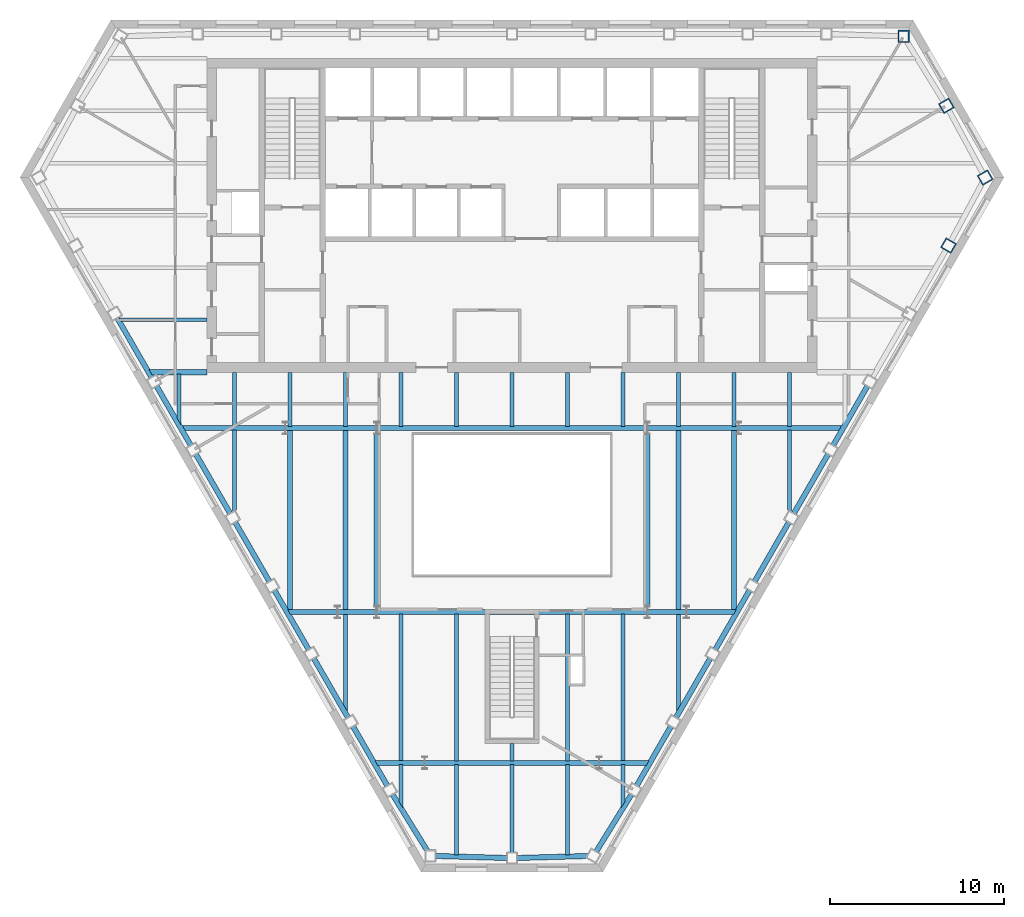
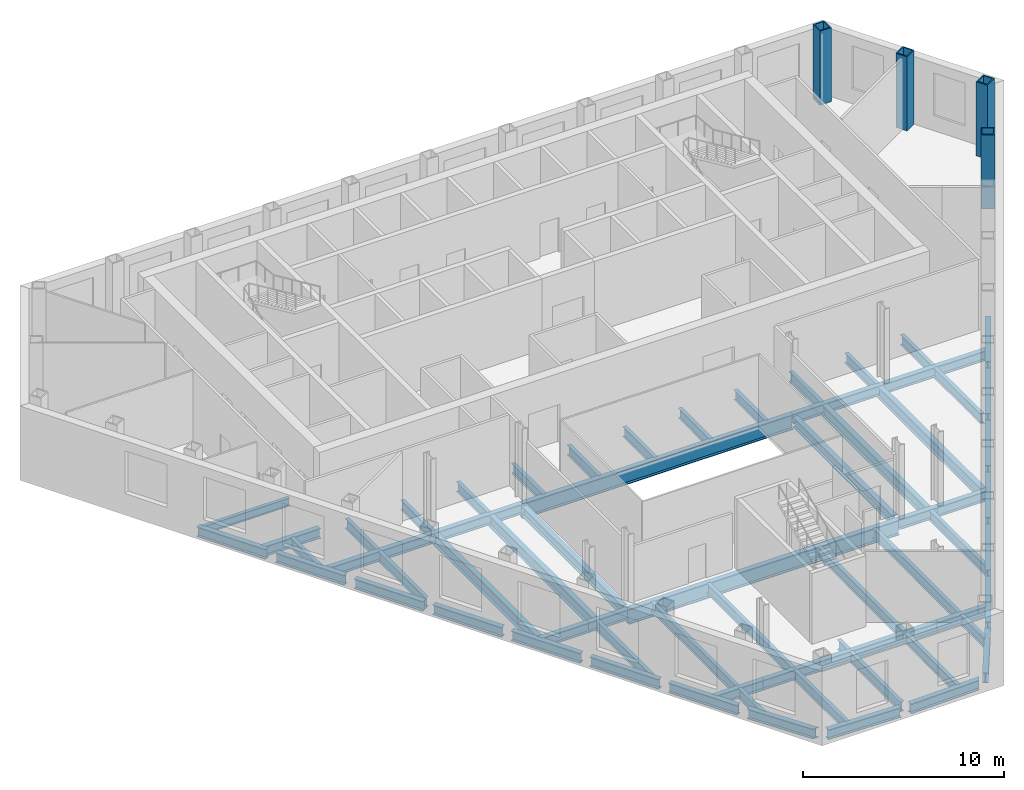
# One storey, part 2 of 11: 64 beams, 4 columns.
"""IFC4 building model written with IfcOpenShell, lengths in metres."""

from ifc_helpers import new_model, si_unit, direction, frame, origin, origin_2d, place, context, subcontext, project, spatial, hollow_rectangle, i_section, extrude, clip, halfspace, material, material_profile, profile_set, type_object, element, save


model = new_model("IFC4")

# Units and contexts
model_context = context("Model", 3, precision=1e-05, world=origin(), true_north=direction((0.0, 1.0)))
body_context = subcontext(model_context, "Body", "Model", "MODEL_VIEW")
ifc_project = project(units=[si_unit("LENGTHUNIT", "METRE"), si_unit("AREAUNIT", "SQUARE_METRE"), si_unit("VOLUMEUNIT", "CUBIC_METRE"), si_unit("PLANEANGLEUNIT", "RADIAN"), si_unit("MASSUNIT", "GRAM", prefix="KILO")], contexts=[model_context])

# Site, building, storey
site_placement = place(None, origin())
site = spatial("IfcSite", under=ifc_project, at=site_placement, CompositionType="ELEMENT")
building_placement = place(site_placement, origin())
building = spatial("IfcBuilding", under=site, at=building_placement, Name="Njiva Tower", CompositionType="ELEMENT")
storey_placement = place(building_placement, frame((0.0, 0.0, 88.8)))
storey = spatial("IfcBuildingStorey", under=building, at=storey_placement, Name="L18", CompositionType="ELEMENT", Elevation=88.8)

# Columns
ifc_material = material(Name="Steel S355 J2", Category="steel")
ifc_material_profile_1 = material_profile(ifc_material, hollow_rectangle(XDim=0.65, YDim=0.7, WallThickness=0.065, at=origin_2d()), Name="BOX 700x650x65")
ifc_profile_set_1 = profile_set([ifc_material_profile_1], Name="Steel S355 J2")
column_type = type_object("IfcColumnType", Name="C7 Perimeter tube column BOX 700x650x65", PredefinedType="COLUMN", material=ifc_profile_set_1)
for number, where, z_axis, x_axis, name in (
    (1, (22.456, 19.267, 0.0), (0.0, 0.0, 1.0), (-1.0, 0.0, 0.0), "Perimeter tube column S06-C01"),
    (2, (25.033, 7.265, 0.0), (0.0, 0.0, 1.0), (0.5, 0.866025403784, 0.0), "Perimeter tube column S06-C34"),
    (3, (27.133, 11.167, 0.0), (0.0, 0.0, 1.0), (-0.5, 0.866025403784, 0.0), "Perimeter tube column S06-C35"),
    (4, (24.91, 15.284, 0.0), (0.0, 0.0, 1.0), (-0.5, 0.866025403784, 0.0), "Perimeter tube column S06-C36"),
):
    element("IfcColumn", number, at=place(storey_placement, frame(where, z_axis=z_axis, x_axis=x_axis)), inside=storey, type_object=column_type, Name=name, PredefinedType="COLUMN", context=body_context, shape_type="SweptSolid", body=[
        extrude(hollow_rectangle(XDim=0.65, YDim=0.7, WallThickness=0.065, at=origin_2d()), origin(), (0.0, 0.0, 1.0), 4.5),
    ])

# Beams
ifc_material_profile_2 = material_profile(ifc_material, i_section(OverallWidth=0.3, OverallDepth=0.69, WebThickness=0.0145, FlangeThickness=0.027, at=origin_2d()), Name="HEA 700")
ifc_profile_set_2 = profile_set([ifc_material_profile_2], Name="Steel S355 J2")
beam_type_1 = type_object("IfcBeamType", Name="B12 Long-span floor joist HEA 700", PredefinedType="JOIST", material=ifc_profile_set_2)
for number, where, z_axis, x_axis, name in (
    (5, (-12.733, -3.3, -0.545), (0.0, -1.0, 0.0), (1.0, 0.0, 0.0), "Long-span floor joist S06-B058"),
    (6, (-9.55, -3.3, -0.545), (0.0, -1.0, 0.0), (1.0, 0.0, 0.0), "Long-span floor joist S06-B061"),
    (7, (9.55, -3.3, -0.545), (0.0, -1.0, 0.0), (1.0, 0.0, 0.0), "Long-span floor joist S06-B079"),
    (8, (12.733, -3.3, -0.545), (0.0, -1.0, 0.0), (1.0, 0.0, 0.0), "Long-span floor joist S06-B081"),
):
    element("IfcBeam", number, at=place(storey_placement, frame(where, z_axis=z_axis, x_axis=x_axis)), inside=storey, type_object=beam_type_1, Name=name, PredefinedType="JOIST", context=body_context, shape_type="SweptSolid", body=[
        extrude(i_section(OverallWidth=0.3, OverallDepth=0.69, WebThickness=0.0145, FlangeThickness=0.027, at=origin_2d()), origin(), (0.0, 0.0, 1.0), 10.35),
    ])
ifc_material_profile_3 = material_profile(ifc_material, i_section(OverallWidth=0.22, OverallDepth=0.6, WebThickness=0.012, FlangeThickness=0.019, at=origin_2d()), Name="IPE 600")
ifc_profile_set_3 = profile_set([ifc_material_profile_3], Name="Steel S355 J2")
beam_type_2 = type_object("IfcBeamType", Name="B13 Floor joist IPE 600", PredefinedType="JOIST", material=ifc_profile_set_3)
beam_1_placement = place(storey_placement, frame((-15.917, -3.3, -0.5), z_axis=(0.0, -1.0, 0.0), x_axis=(1.0, 0.0, 0.0)))
element("IfcBeam", 9, at=beam_1_placement, inside=storey, type_object=beam_type_2, Name="Floor joist S06-B056", PredefinedType="JOIST", context=body_context, shape_type="Clipping", body=[
    clip(extrude(i_section(OverallWidth=0.22, OverallDepth=0.6, WebThickness=0.012, FlangeThickness=0.019, at=origin_2d()), origin(), (0.0, 0.0, 1.0), 4.754), halfspace(frame((0.0253, 0.0, 4.6554), z_axis=(0.499998009787, 0.0, 0.866026552831), x_axis=(0.0, 1.0, 0.0)), False)),
])
beam_2_placement = place(storey_placement, frame((-9.55, -13.85, -0.5), z_axis=(0.0, -1.0, 0.0), x_axis=(1.0, 0.0, 0.0)))
element("IfcBeam", 10, at=beam_2_placement, inside=storey, type_object=beam_type_2, Name="Floor joist S06-B060", PredefinedType="JOIST", context=body_context, shape_type="Clipping", body=[
    clip(extrude(i_section(OverallWidth=0.22, OverallDepth=0.6, WebThickness=0.012, FlangeThickness=0.019, at=origin_2d()), origin(), (0.0, 0.0, 1.0), 5.714), halfspace(frame((-0.0433, 0.0, 5.4277), z_axis=(-0.866026552831, 0.0, 0.499998009787), x_axis=(0.0, 1.0, 0.0)), False)),
])
for number, where, z_axis, x_axis, name in (
    (11, (-6.367, -13.851, -0.5), (0.0, -1.0, 0.0), (1.0, 0.0, 0.0), "Floor joist S06-B064"),
    (12, (-3.183, -13.851, -0.5), (0.0, -1.0, 0.0), (1.0, 0.0, 0.0), "Floor joist S06-B067"),
):
    element("IfcBeam", number, at=place(storey_placement, frame(where, z_axis=z_axis, x_axis=x_axis)), inside=storey, type_object=beam_type_2, Name=name, PredefinedType="JOIST", context=body_context, shape_type="SweptSolid", body=[
        extrude(i_section(OverallWidth=0.22, OverallDepth=0.6, WebThickness=0.012, FlangeThickness=0.019, at=origin_2d()), origin(), (0.0, 0.0, 1.0), 8.449),
    ])
beam_3_placement = place(storey_placement, frame((-3.183, -22.5, -0.5), z_axis=(0.0, -1.0, 0.0), x_axis=(1.0, 0.0, 0.0)))
element("IfcBeam", 13, at=beam_3_placement, inside=storey, type_object=beam_type_2, Name="Floor joist S06-B066", PredefinedType="JOIST", context=body_context, shape_type="SweptSolid", body=[
    extrude(i_section(OverallWidth=0.22, OverallDepth=0.6, WebThickness=0.012, FlangeThickness=0.019, at=origin_2d()), origin(), (0.0, 0.0, 1.0), 5.168),
])
beam_4_placement = place(storey_placement, frame((0.0, -22.5, -0.5), z_axis=(0.0, -1.0, 0.0), x_axis=(1.0, 0.0, 0.0)))
element("IfcBeam", 14, at=beam_4_placement, inside=storey, type_object=beam_type_2, Name="Floor joist S06-B069", PredefinedType="JOIST", context=body_context, shape_type="SweptSolid", body=[
    extrude(i_section(OverallWidth=0.22, OverallDepth=0.6, WebThickness=0.012, FlangeThickness=0.019, at=origin_2d()), origin(), (0.0, 0.0, 1.0), 5.061),
])
beam_5_placement = place(storey_placement, frame((3.183, -13.851, -0.5), z_axis=(0.0, -1.0, 0.0), x_axis=(1.0, 0.0, 0.0)))
element("IfcBeam", 15, at=beam_5_placement, inside=storey, type_object=beam_type_2, Name="Floor joist S06-B073", PredefinedType="JOIST", context=body_context, shape_type="SweptSolid", body=[
    extrude(i_section(OverallWidth=0.22, OverallDepth=0.6, WebThickness=0.012, FlangeThickness=0.019, at=origin_2d()), origin(), (0.0, 0.0, 1.0), 8.449),
])
beam_6_placement = place(storey_placement, frame((3.183, -22.5, -0.5), z_axis=(0.0, -1.0, 0.0), x_axis=(1.0, 0.0, 0.0)))
element("IfcBeam", 16, at=beam_6_placement, inside=storey, type_object=beam_type_2, Name="Floor joist S06-B072", PredefinedType="JOIST", context=body_context, shape_type="SweptSolid", body=[
    extrude(i_section(OverallWidth=0.22, OverallDepth=0.6, WebThickness=0.012, FlangeThickness=0.019, at=origin_2d()), origin(), (0.0, 0.0, 1.0), 5.168),
])
beam_7_placement = place(storey_placement, frame((6.367, -13.851, -0.5), z_axis=(0.0, -1.0, 0.0), x_axis=(1.0, 0.0, 0.0)))
element("IfcBeam", 17, at=beam_7_placement, inside=storey, type_object=beam_type_2, Name="Floor joist S06-B076", PredefinedType="JOIST", context=body_context, shape_type="SweptSolid", body=[
    extrude(i_section(OverallWidth=0.22, OverallDepth=0.6, WebThickness=0.012, FlangeThickness=0.019, at=origin_2d()), origin(), (0.0, 0.0, 1.0), 8.449),
])
beam_8_placement = place(storey_placement, frame((9.55, -13.85, -0.5), z_axis=(0.0, -1.0, 0.0), x_axis=(1.0, 0.0, 0.0)))
element("IfcBeam", 18, at=beam_8_placement, inside=storey, type_object=beam_type_2, Name="Floor joist S06-B078", PredefinedType="JOIST", context=body_context, shape_type="Clipping", body=[
    clip(extrude(i_section(OverallWidth=0.22, OverallDepth=0.6, WebThickness=0.012, FlangeThickness=0.019, at=origin_2d()), origin(), (0.0, 0.0, 1.0), 5.714), halfspace(frame((0.0433, 0.0, 5.4277), z_axis=(0.866026552831, 0.0, 0.499998009787), x_axis=(0.0, 1.0, 0.0)), False)),
])
beam_9_placement = place(storey_placement, frame((15.917, -3.3, -0.5), z_axis=(0.0, -1.0, 0.0), x_axis=(1.0, 0.0, 0.0)))
element("IfcBeam", 19, at=beam_9_placement, inside=storey, type_object=beam_type_2, Name="Floor joist S06-B084", PredefinedType="JOIST", context=body_context, shape_type="Clipping", body=[
    clip(extrude(i_section(OverallWidth=0.22, OverallDepth=0.6, WebThickness=0.012, FlangeThickness=0.019, at=origin_2d()), origin(), (0.0, 0.0, 1.0), 4.754), halfspace(frame((-0.0253, 0.0, 4.6554), z_axis=(-0.499998009787, 0.0, 0.866026552831), x_axis=(0.0, 1.0, 0.0)), False)),
])
ifc_material_profile_4 = material_profile(ifc_material, i_section(OverallWidth=0.22, OverallDepth=0.6, WebThickness=0.012, FlangeThickness=0.019, at=origin_2d()), Name="IPE 600")
ifc_profile_set_4 = profile_set([ifc_material_profile_4], Name="Steel S355 J2")
beam_type_3 = type_object("IfcBeamType", Name="B14 Short-span floor joist IPE 600", PredefinedType="JOIST", material=ifc_profile_set_4)
beam_10_placement = place(storey_placement, frame((-19.1, -0.1, -0.5), z_axis=(0.0, -1.0, 0.0), x_axis=(1.0, 0.0, 0.0)))
element("IfcBeam", 20, at=beam_10_placement, inside=storey, type_object=beam_type_3, Name="Short-span floor joist S06-B054", PredefinedType="JOIST", context=body_context, shape_type="Clipping", body=[
    clip(extrude(i_section(OverallWidth=0.22, OverallDepth=0.6, WebThickness=0.012, FlangeThickness=0.019, at=origin_2d()), origin(), (0.0, 0.0, 1.0), 2.923), halfspace(frame((-0.0433, 0.0, 2.6366), z_axis=(-0.866026552831, 0.0, 0.499998009787), x_axis=(0.0, 1.0, 0.0)), False)),
])
for number, where, z_axis, x_axis, name in (
    (21, (-15.917, -0.005, -0.5), (0.0, -1.0, 0.0), (1.0, 0.0, 0.0), "Short-span floor joist S06-B057"),
    (22, (-12.733, -0.005, -0.5), (0.0, -1.0, 0.0), (1.0, 0.0, 0.0), "Short-span floor joist S06-B059"),
    (23, (-9.55, -0.005, -0.5), (0.0, -1.0, 0.0), (1.0, 0.0, 0.0), "Short-span floor joist S06-B062"),
):
    element("IfcBeam", number, at=place(storey_placement, frame(where, z_axis=z_axis, x_axis=x_axis)), inside=storey, type_object=beam_type_3, Name=name, PredefinedType="JOIST", context=body_context, shape_type="SweptSolid", body=[
        extrude(i_section(OverallWidth=0.22, OverallDepth=0.6, WebThickness=0.012, FlangeThickness=0.019, at=origin_2d()), origin(), (0.0, 0.0, 1.0), 3.095),
    ])
beam_11_placement = place(storey_placement, frame((-6.367, -0.005, -0.5), z_axis=(0.0, -1.0, 0.0), x_axis=(1.0, 0.0, 0.0)))
element("IfcBeam", 24, at=beam_11_placement, inside=storey, type_object=beam_type_3, Name="Short-span floor joist S06-B065", PredefinedType="JOIST", context=body_context, shape_type="SweptSolid", body=[
    extrude(i_section(OverallWidth=0.22, OverallDepth=0.6, WebThickness=0.012, FlangeThickness=0.019, at=origin_2d()), origin(), (0.0, 0.0, 1.0), 3.094),
])
beam_12_placement = place(storey_placement, frame((-6.367, -22.5, -0.5), z_axis=(0.0, -1.0, 0.0), x_axis=(1.0, 0.0, 0.0)))
element("IfcBeam", 25, at=beam_12_placement, inside=storey, type_object=beam_type_3, Name="Short-span floor joist S06-B063", PredefinedType="JOIST", context=body_context, shape_type="Clipping", body=[
    clip(extrude(i_section(OverallWidth=0.22, OverallDepth=0.6, WebThickness=0.012, FlangeThickness=0.019, at=origin_2d()), origin(), (0.0, 0.0, 1.0), 2.501), halfspace(frame((-0.0422, 0.0, 2.2343), z_axis=(-0.850615955969, 0.0, 0.525787500281), x_axis=(0.0, 1.0, 0.0)), False)),
])
for number, where, z_axis, x_axis, name in (
    (26, (-3.183, -0.005, -0.5), (0.0, -1.0, 0.0), (1.0, 0.0, 0.0), "Short-span floor joist S06-B068"),
    (27, (0.0, -0.005, -0.5), (0.0, -1.0, 0.0), (1.0, 0.0, 0.0), "Short-span floor joist S06-B071"),
):
    element("IfcBeam", number, at=place(storey_placement, frame(where, z_axis=z_axis, x_axis=x_axis)), inside=storey, type_object=beam_type_3, Name=name, PredefinedType="JOIST", context=body_context, shape_type="SweptSolid", body=[
        extrude(i_section(OverallWidth=0.22, OverallDepth=0.6, WebThickness=0.012, FlangeThickness=0.019, at=origin_2d()), origin(), (0.0, 0.0, 1.0), 3.094),
    ])
beam_13_placement = place(storey_placement, frame((0.0, -21.3, -0.5), z_axis=(0.0, -1.0, 0.0), x_axis=(1.0, 0.0, 0.0)))
element("IfcBeam", 28, at=beam_13_placement, inside=storey, type_object=beam_type_3, Name="Short-span floor joist S06-B070", PredefinedType="JOIST", context=body_context, shape_type="SweptSolid", body=[
    extrude(i_section(OverallWidth=0.22, OverallDepth=0.6, WebThickness=0.012, FlangeThickness=0.019, at=origin_2d()), origin(), (0.0, 0.0, 1.0), 1.0),
])
for number, where, z_axis, x_axis, name in (
    (29, (3.183, -0.005, -0.5), (0.0, -1.0, 0.0), (1.0, 0.0, 0.0), "Short-span floor joist S06-B074"),
    (30, (6.367, -0.005, -0.5), (0.0, -1.0, 0.0), (1.0, 0.0, 0.0), "Short-span floor joist S06-B077"),
):
    element("IfcBeam", number, at=place(storey_placement, frame(where, z_axis=z_axis, x_axis=x_axis)), inside=storey, type_object=beam_type_3, Name=name, PredefinedType="JOIST", context=body_context, shape_type="SweptSolid", body=[
        extrude(i_section(OverallWidth=0.22, OverallDepth=0.6, WebThickness=0.012, FlangeThickness=0.019, at=origin_2d()), origin(), (0.0, 0.0, 1.0), 3.094),
    ])
beam_14_placement = place(storey_placement, frame((6.367, -22.5, -0.5), z_axis=(0.0, -1.0, 0.0), x_axis=(1.0, 0.0, 0.0)))
element("IfcBeam", 31, at=beam_14_placement, inside=storey, type_object=beam_type_3, Name="Short-span floor joist S06-B075", PredefinedType="JOIST", context=body_context, shape_type="Clipping", body=[
    clip(extrude(i_section(OverallWidth=0.22, OverallDepth=0.6, WebThickness=0.012, FlangeThickness=0.019, at=origin_2d()), origin(), (0.0, 0.0, 1.0), 2.501), halfspace(frame((0.0422, 0.0, 2.2343), z_axis=(0.850615955969, 0.0, 0.525787500281), x_axis=(0.0, 1.0, 0.0)), False)),
])
for number, where, z_axis, x_axis, name in (
    (32, (9.55, -0.005, -0.5), (0.0, -1.0, 0.0), (1.0, 0.0, 0.0), "Short-span floor joist S06-B080"),
    (33, (12.733, -0.005, -0.5), (0.0, -1.0, 0.0), (1.0, 0.0, 0.0), "Short-span floor joist S06-B082"),
    (34, (15.917, -0.005, -0.5), (0.0, -1.0, 0.0), (1.0, 0.0, 0.0), "Short-span floor joist S06-B085"),
):
    element("IfcBeam", number, at=place(storey_placement, frame(where, z_axis=z_axis, x_axis=x_axis)), inside=storey, type_object=beam_type_3, Name=name, PredefinedType="JOIST", context=body_context, shape_type="SweptSolid", body=[
        extrude(i_section(OverallWidth=0.22, OverallDepth=0.6, WebThickness=0.012, FlangeThickness=0.019, at=origin_2d()), origin(), (0.0, 0.0, 1.0), 3.095),
    ])
ifc_material_profile_5 = material_profile(ifc_material, i_section(OverallWidth=0.3, OverallDepth=0.6, WebThickness=0.0155, FlangeThickness=0.03, at=origin_2d()), Name="HEB 600")
ifc_profile_set_5 = profile_set([ifc_material_profile_5], Name="Steel S355 J2")
beam_type_4 = type_object("IfcBeamType", Name="B20 Floor girder HEB 600", PredefinedType="BEAM", material=ifc_profile_set_5)
beam_15_placement = place(storey_placement, frame((-18.983, -3.2, -0.5), z_axis=(1.0, 0.0, 0.0), x_axis=(0.0, 1.0, 0.0)))
element("IfcBeam", 35, at=beam_15_placement, inside=storey, type_object=beam_type_4, Name="Floor girder S06-B016", PredefinedType="BEAM", context=body_context, shape_type="Clipping", body=[
    clip(extrude(i_section(OverallWidth=0.3, OverallDepth=0.6, WebThickness=0.0155, FlangeThickness=0.03, at=origin_2d()), origin(), (0.0, 0.0, 1.0), 5.983), halfspace(frame((-0.025, 0.0, 0.1217), z_axis=(-0.499998009787, 0.0, -0.866026552831), x_axis=(0.0, -1.0, 0.0)), False)),
])
for number, where, z_axis, x_axis, name in (
    (36, (-13.0, -3.2, -0.5), (1.0, 0.0, 0.0), (0.0, 1.0, 0.0), "Floor girder S06-B017"),
    (37, (7.76, -3.2, -0.5), (1.0, 0.0, 0.0), (0.0, 1.0, 0.0), "Floor girder S06-B024"),
):
    element("IfcBeam", number, at=place(storey_placement, frame(where, z_axis=z_axis, x_axis=x_axis)), inside=storey, type_object=beam_type_4, Name=name, PredefinedType="BEAM", context=body_context, shape_type="SweptSolid", body=[
        extrude(i_section(OverallWidth=0.3, OverallDepth=0.6, WebThickness=0.0155, FlangeThickness=0.03, at=origin_2d()), origin(), (0.0, 0.0, 1.0), 5.24),
    ])
beam_16_placement = place(storey_placement, frame((13.0, -3.2, -0.5), z_axis=(1.0, 0.0, 0.0), x_axis=(0.0, 1.0, 0.0)))
element("IfcBeam", 38, at=beam_16_placement, inside=storey, type_object=beam_type_4, Name="Floor girder S06-B026", PredefinedType="BEAM", context=body_context, shape_type="Clipping", body=[
    clip(extrude(i_section(OverallWidth=0.3, OverallDepth=0.6, WebThickness=0.0155, FlangeThickness=0.03, at=origin_2d()), origin(), (0.0, 0.0, 1.0), 5.983), halfspace(frame((-0.025, 0.0, 5.8613), z_axis=(-0.499998009787, 0.0, 0.866026552831), x_axis=(0.0, 1.0, 0.0)), False)),
])
ifc_material_profile_6 = material_profile(ifc_material, i_section(OverallWidth=0.3, OverallDepth=0.6, WebThickness=0.0155, FlangeThickness=0.03, at=origin_2d()), Name="HEB 600")
ifc_profile_set_6 = profile_set([ifc_material_profile_6], Name="Steel S355 J2")
beam_type_5 = type_object("IfcBeamType", Name="B21 Short-span floor girder HEB 600", PredefinedType="BEAM", material=ifc_profile_set_6)
beam_17_placement = place(storey_placement, frame((-12.892, -13.75, -0.5), z_axis=(1.0, 0.0, 0.0), x_axis=(0.0, 1.0, 0.0)))
element("IfcBeam", 39, at=beam_17_placement, inside=storey, type_object=beam_type_5, Name="Short-span floor girder S06-B018", PredefinedType="BEAM", context=body_context, shape_type="Clipping", body=[
    clip(extrude(i_section(OverallWidth=0.3, OverallDepth=0.6, WebThickness=0.0155, FlangeThickness=0.03, at=origin_2d()), origin(), (0.0, 0.0, 1.0), 2.892), halfspace(frame((-0.025, 0.0, 0.1217), z_axis=(-0.499998009787, 0.0, -0.866026552831), x_axis=(0.0, -1.0, 0.0)), False)),
])
for number, where, z_axis, x_axis, name in (
    (40, (-10.0, -13.75, -0.5), (1.0, 0.0, 0.0), (0.0, 1.0, 0.0), "Short-span floor girder S06-B019"),
    (41, (7.76, -13.75, -0.5), (1.0, 0.0, 0.0), (0.0, 1.0, 0.0), "Short-span floor girder S06-B023"),
):
    element("IfcBeam", number, at=place(storey_placement, frame(where, z_axis=z_axis, x_axis=x_axis)), inside=storey, type_object=beam_type_5, Name=name, PredefinedType="BEAM", context=body_context, shape_type="SweptSolid", body=[
        extrude(i_section(OverallWidth=0.3, OverallDepth=0.6, WebThickness=0.0155, FlangeThickness=0.03, at=origin_2d()), origin(), (0.0, 0.0, 1.0), 2.24),
    ])
beam_18_placement = place(storey_placement, frame((10.0, -13.75, -0.5), z_axis=(1.0, 0.0, 0.0), x_axis=(0.0, 1.0, 0.0)))
element("IfcBeam", 42, at=beam_18_placement, inside=storey, type_object=beam_type_5, Name="Short-span floor girder S06-B025", PredefinedType="BEAM", context=body_context, shape_type="Clipping", body=[
    clip(extrude(i_section(OverallWidth=0.3, OverallDepth=0.6, WebThickness=0.0155, FlangeThickness=0.03, at=origin_2d()), origin(), (0.0, 0.0, 1.0), 2.892), halfspace(frame((-0.025, 0.0, 2.7703), z_axis=(-0.499998009787, 0.0, 0.866026552831), x_axis=(0.0, 1.0, 0.0)), False)),
])
beam_19_placement = place(storey_placement, frame((-7.898, -22.4, -0.5), z_axis=(1.0, 0.0, 0.0), x_axis=(0.0, 1.0, 0.0)))
element("IfcBeam", 43, at=beam_19_placement, inside=storey, type_object=beam_type_5, Name="Short-span floor girder S06-B020", PredefinedType="BEAM", context=body_context, shape_type="Clipping", body=[
    clip(extrude(i_section(OverallWidth=0.3, OverallDepth=0.6, WebThickness=0.0155, FlangeThickness=0.03, at=origin_2d()), origin(), (0.0, 0.0, 1.0), 2.898), halfspace(frame((-0.025, 0.0, 0.1218), z_axis=(-0.499998009787, 0.0, -0.866026552831), x_axis=(0.0, -1.0, 0.0)), False)),
])
beam_20_placement = place(storey_placement, frame((5.0, -22.4, -0.5), z_axis=(1.0, 0.0, 0.0), x_axis=(0.0, 1.0, 0.0)))
element("IfcBeam", 44, at=beam_20_placement, inside=storey, type_object=beam_type_5, Name="Short-span floor girder S06-B022", PredefinedType="BEAM", context=body_context, shape_type="Clipping", body=[
    clip(extrude(i_section(OverallWidth=0.3, OverallDepth=0.6, WebThickness=0.0155, FlangeThickness=0.03, at=origin_2d()), origin(), (0.0, 0.0, 1.0), 2.898), halfspace(frame((-0.025, 0.0, 2.7762), z_axis=(-0.499998009787, 0.0, 0.866026552831), x_axis=(0.0, 1.0, 0.0)), False)),
])
beam_21_placement = place(storey_placement, frame((-20.83, 0.0, -0.5), z_axis=(1.0, 0.0, 0.0), x_axis=(0.0, 1.0, 0.0)))
element("IfcBeam", 45, at=beam_21_placement, inside=storey, type_object=beam_type_5, Name="Short-span floor girder S06-B015", PredefinedType="BEAM", context=body_context, shape_type="Clipping", body=[
    clip(extrude(i_section(OverallWidth=0.3, OverallDepth=0.6, WebThickness=0.0155, FlangeThickness=0.03, at=origin_2d()), origin(), (0.0, 0.0, 1.0), 3.33), halfspace(frame((-0.025, 0.0, 0.1211), z_axis=(-0.499998009787, 0.0, -0.866026552831), x_axis=(0.0, -1.0, 0.0)), False)),
])
ifc_material_profile_7 = material_profile(ifc_material, i_section(OverallWidth=0.3, OverallDepth=0.6, WebThickness=0.0155, FlangeThickness=0.03, at=origin_2d()), Name="HEB 600")
ifc_profile_set_7 = profile_set([ifc_material_profile_7], Name="Steel S355 J2")
beam_type_6 = type_object("IfcBeamType", Name="B22 Long-span floor girder HEB 600", PredefinedType="BEAM", material=ifc_profile_set_7)
beam_22_placement = place(storey_placement, frame((-5.0, -22.4, -0.5), z_axis=(1.0, 0.0, 0.0), x_axis=(0.0, 1.0, 0.0)))
element("IfcBeam", 46, at=beam_22_placement, inside=storey, type_object=beam_type_6, Name="Long-span floor girder S06-B021", PredefinedType="BEAM", context=body_context, shape_type="SweptSolid", body=[
    extrude(i_section(OverallWidth=0.3, OverallDepth=0.6, WebThickness=0.0155, FlangeThickness=0.03, at=origin_2d()), origin(), (0.0, 0.0, 1.0), 10.0),
])
ifc_material_profile_8 = material_profile(ifc_material, i_section(OverallWidth=0.3, OverallDepth=0.6, WebThickness=0.0155, FlangeThickness=0.03, at=origin_2d()), Name="HEB 600")
ifc_profile_set_8 = profile_set([ifc_material_profile_8], Name="Steel S355 J2")
beam_type_7 = type_object("IfcBeamType", Name="B23 Long-span atrium trimmer beam HEB 600", PredefinedType="BEAM", material=ifc_profile_set_8)
for number, where, z_axis, x_axis, name in (
    (47, (7.76, -13.442, -0.5), (0.0, 1.0, 0.0), (-1.0, 0.0, 0.0), "Long-span atrium trimmer beam S06-B092"),
    (48, (-7.76, -3.508, -0.5), (0.0, -1.0, 0.0), (1.0, 0.0, 0.0), "Long-span atrium trimmer beam S06-B089"),
):
    element("IfcBeam", number, at=place(storey_placement, frame(where, z_axis=z_axis, x_axis=x_axis)), inside=storey, type_object=beam_type_7, Name=name, PredefinedType="BEAM", context=body_context, shape_type="SweptSolid", body=[
        extrude(i_section(OverallWidth=0.3, OverallDepth=0.6, WebThickness=0.0155, FlangeThickness=0.03, at=origin_2d()), origin(), (0.0, 0.0, 1.0), 9.934),
    ])
ifc_material_profile_9 = material_profile(ifc_material, i_section(OverallWidth=0.2, OverallDepth=0.5, WebThickness=0.0102, FlangeThickness=0.016, at=origin_2d()), Name="IPE 500")
ifc_profile_set_9 = profile_set([ifc_material_profile_9], Name="Steel S355 J2")
beam_type_8 = type_object("IfcBeamType", Name="B24 Floor beam to the core IPE 500", PredefinedType="BEAM", material=ifc_profile_set_9)
beam_23_placement = place(storey_placement, frame((-22.533, 3.0, -0.45), z_axis=(1.0, 0.0, 0.0), x_axis=(0.0, 1.0, 0.0)))
element("IfcBeam", 49, at=beam_23_placement, inside=storey, type_object=beam_type_8, Name="Floor beam to the core S06-B007", PredefinedType="BEAM", context=body_context, shape_type="Clipping", body=[
    clip(extrude(i_section(OverallWidth=0.2, OverallDepth=0.5, WebThickness=0.0102, FlangeThickness=0.016, at=origin_2d()), origin(), (0.0, 0.0, 1.0), 5.033), halfspace(frame((-0.025, 0.0, 0.0921), z_axis=(-0.499998009787, 0.0, -0.866026552831), x_axis=(0.0, -1.0, 0.0)), False)),
])
ifc_material_profile_10 = material_profile(ifc_material, i_section(OverallWidth=0.3, OverallDepth=0.6, WebThickness=0.0155, FlangeThickness=0.03, at=origin_2d()), Name="HEB 600")
ifc_profile_set_10 = profile_set([ifc_material_profile_10], Name="Steel S355 J2")
beam_type_9 = type_object("IfcBeamType", Name="B3 Short-span spandrel beam HEB 600", PredefinedType="SPANDREL", material=ifc_profile_set_10)
for number, where, z_axis, x_axis, name in (
    (50, (-22.642, 3.124, -0.5), (0.499890179513, -0.866088799389, 0.0), (0.866088799389, 0.499890179513, 0.0), "Short-span spandrel beam S06-B100"),
    (51, (-20.389, -0.779, -0.5), (0.499890179513, -0.866088799389, 0.0), (0.866088799389, 0.499890179513, 0.0), "Short-span spandrel beam S06-B104"),
):
    element("IfcBeam", number, at=place(storey_placement, frame(where, z_axis=z_axis, x_axis=x_axis)), inside=storey, type_object=beam_type_9, Name=name, PredefinedType="SPANDREL", context=body_context, shape_type="SweptSolid", body=[
        extrude(i_section(OverallWidth=0.3, OverallDepth=0.6, WebThickness=0.0155, FlangeThickness=0.03, at=origin_2d()), origin(), (0.0, 0.0, 1.0), 3.9569),
    ])
beam_24_placement = place(storey_placement, frame((-18.136, -4.682, -0.5), z_axis=(0.500079715141, -0.865979375335, 0.0), x_axis=(0.865979375335, 0.500079715141, 0.0)))
element("IfcBeam", 52, at=beam_24_placement, inside=storey, type_object=beam_type_9, Name="Short-span spandrel beam S06-B106", PredefinedType="SPANDREL", context=body_context, shape_type="SweptSolid", body=[
    extrude(i_section(OverallWidth=0.3, OverallDepth=0.6, WebThickness=0.0155, FlangeThickness=0.03, at=origin_2d()), origin(), (0.0, 0.0, 1.0), 3.9574),
])
beam_25_placement = place(storey_placement, frame((-15.882, -8.585, -0.5), z_axis=(0.499890179513, -0.866088799389, 0.0), x_axis=(0.866088799389, 0.499890179513, 0.0)))
element("IfcBeam", 53, at=beam_25_placement, inside=storey, type_object=beam_type_9, Name="Short-span spandrel beam S06-B110", PredefinedType="SPANDREL", context=body_context, shape_type="SweptSolid", body=[
    extrude(i_section(OverallWidth=0.3, OverallDepth=0.6, WebThickness=0.0155, FlangeThickness=0.03, at=origin_2d()), origin(), (0.0, 0.0, 1.0), 3.9569),
])
beam_26_placement = place(storey_placement, frame((-13.629, -12.488, -0.5), z_axis=(0.500079715141, -0.865979375335, 0.0), x_axis=(0.865979375335, 0.500079715141, 0.0)))
element("IfcBeam", 54, at=beam_26_placement, inside=storey, type_object=beam_type_9, Name="Short-span spandrel beam S06-B112", PredefinedType="SPANDREL", context=body_context, shape_type="SweptSolid", body=[
    extrude(i_section(OverallWidth=0.3, OverallDepth=0.6, WebThickness=0.0155, FlangeThickness=0.03, at=origin_2d()), origin(), (0.0, 0.0, 1.0), 3.9574),
])
beam_27_placement = place(storey_placement, frame((-11.375, -16.391, -0.5), z_axis=(0.499999616612, -0.866025625133, 0.0), x_axis=(0.866025625133, 0.499999616612, 0.0)))
element("IfcBeam", 55, at=beam_27_placement, inside=storey, type_object=beam_type_9, Name="Short-span spandrel beam S06-B115", PredefinedType="SPANDREL", context=body_context, shape_type="SweptSolid", body=[
    extrude(i_section(OverallWidth=0.3, OverallDepth=0.6, WebThickness=0.0155, FlangeThickness=0.03, at=origin_2d()), origin(), (0.0, 0.0, 1.0), 3.956),
])
beam_28_placement = place(storey_placement, frame((-9.123, -20.293, -0.5), z_axis=(0.500079715141, -0.865979375335, 0.0), x_axis=(0.865979375335, 0.500079715141, 0.0)))
element("IfcBeam", 56, at=beam_28_placement, inside=storey, type_object=beam_type_9, Name="Short-span spandrel beam S06-B117", PredefinedType="SPANDREL", context=body_context, shape_type="SweptSolid", body=[
    extrude(i_section(OverallWidth=0.3, OverallDepth=0.6, WebThickness=0.0155, FlangeThickness=0.03, at=origin_2d()), origin(), (0.0, 0.0, 1.0), 3.9574),
])
beam_29_placement = place(storey_placement, frame((-6.86, -24.195, -0.5), z_axis=(0.52571133272, -0.850663032375, 0.0), x_axis=(0.850663032375, 0.52571133272, 0.0)))
element("IfcBeam", 57, at=beam_29_placement, inside=storey, type_object=beam_type_9, Name="Short-span spandrel beam S06-B120", PredefinedType="SPANDREL", context=body_context, shape_type="Clipping", body=[
    clip(extrude(i_section(OverallWidth=0.3, OverallDepth=0.6, WebThickness=0.0155, FlangeThickness=0.03, at=origin_2d()), origin(), (0.0, 0.0, 1.0), 3.9136), halfspace(frame((-0.026, 0.0, 3.7845), z_axis=(-0.52571133272, 0.0, 0.850663032375), x_axis=(0.0, 1.0, 0.0)), False)),
])
beam_30_placement = place(storey_placement, frame((-4.397, -27.736, -0.5), z_axis=(0.999596627573, -0.028400389856, 0.0), x_axis=(0.028400389856, 0.999596627573, 0.0)))
element("IfcBeam", 58, at=beam_30_placement, inside=storey, type_object=beam_type_9, Name="Short-span spandrel beam S06-B123", PredefinedType="SPANDREL", context=body_context, shape_type="SweptSolid", body=[
    extrude(i_section(OverallWidth=0.3, OverallDepth=0.6, WebThickness=0.0155, FlangeThickness=0.03, at=origin_2d()), origin(), (0.0, 0.0, 1.0), 4.1197),
])
beam_31_placement = place(storey_placement, frame((0.279, -27.853, -0.5), z_axis=(0.999596107807, 0.028418677972, 0.0), x_axis=(-0.028418677972, 0.999596107807, 0.0)))
element("IfcBeam", 59, at=beam_31_placement, inside=storey, type_object=beam_type_9, Name="Short-span spandrel beam S06-B126", PredefinedType="SPANDREL", context=body_context, shape_type="Clipping", body=[
    clip(extrude(i_section(OverallWidth=0.3, OverallDepth=0.6, WebThickness=0.0155, FlangeThickness=0.03, at=origin_2d()), origin(), (0.0, 0.0, 1.0), 4.1586), halfspace(frame((-0.0262, 0.0, 4.0303), z_axis=(-0.524407394214, 0.0, 0.851467489041), x_axis=(0.0, 1.0, 0.0)), False)),
])
beam_32_placement = place(storey_placement, frame((4.823, -27.491, -0.5), z_axis=(0.525723636925, 0.850655428231, 0.0), x_axis=(-0.850655428231, 0.525723636925, 0.0)))
element("IfcBeam", 60, at=beam_32_placement, inside=storey, type_object=beam_type_9, Name="Short-span spandrel beam S06-B130", PredefinedType="SPANDREL", context=body_context, shape_type="SweptSolid", body=[
    extrude(i_section(OverallWidth=0.3, OverallDepth=0.6, WebThickness=0.0155, FlangeThickness=0.03, at=origin_2d()), origin(), (0.0, 0.0, 1.0), 3.8747),
])
beam_33_placement = place(storey_placement, frame((7.144, -23.72, -0.5), z_axis=(0.500079715141, 0.865979375335, 0.0), x_axis=(-0.865979375335, 0.500079715141, 0.0)))
element("IfcBeam", 61, at=beam_33_placement, inside=storey, type_object=beam_type_9, Name="Short-span spandrel beam S06-B132", PredefinedType="SPANDREL", context=body_context, shape_type="SweptSolid", body=[
    extrude(i_section(OverallWidth=0.3, OverallDepth=0.6, WebThickness=0.0155, FlangeThickness=0.03, at=origin_2d()), origin(), (0.0, 0.0, 1.0), 3.9574),
])
beam_34_placement = place(storey_placement, frame((9.397, -19.817, -0.5), z_axis=(0.499999616612, 0.866025625133, 0.0), x_axis=(-0.866025625133, 0.499999616612, 0.0)))
element("IfcBeam", 62, at=beam_34_placement, inside=storey, type_object=beam_type_9, Name="Short-span spandrel beam S06-B135", PredefinedType="SPANDREL", context=body_context, shape_type="SweptSolid", body=[
    extrude(i_section(OverallWidth=0.3, OverallDepth=0.6, WebThickness=0.0155, FlangeThickness=0.03, at=origin_2d()), origin(), (0.0, 0.0, 1.0), 3.956),
])
beam_35_placement = place(storey_placement, frame((11.65, -15.915, -0.5), z_axis=(0.500079715141, 0.865979375335, 0.0), x_axis=(-0.865979375335, 0.500079715141, 0.0)))
element("IfcBeam", 63, at=beam_35_placement, inside=storey, type_object=beam_type_9, Name="Short-span spandrel beam S06-B137", PredefinedType="SPANDREL", context=body_context, shape_type="SweptSolid", body=[
    extrude(i_section(OverallWidth=0.3, OverallDepth=0.6, WebThickness=0.0155, FlangeThickness=0.03, at=origin_2d()), origin(), (0.0, 0.0, 1.0), 3.9574),
])
beam_36_placement = place(storey_placement, frame((13.904, -12.012, -0.5), z_axis=(0.499890179513, 0.866088799389, 0.0), x_axis=(-0.866088799389, 0.499890179513, 0.0)))
element("IfcBeam", 64, at=beam_36_placement, inside=storey, type_object=beam_type_9, Name="Short-span spandrel beam S06-B141", PredefinedType="SPANDREL", context=body_context, shape_type="SweptSolid", body=[
    extrude(i_section(OverallWidth=0.3, OverallDepth=0.6, WebThickness=0.0155, FlangeThickness=0.03, at=origin_2d()), origin(), (0.0, 0.0, 1.0), 3.9569),
])
beam_37_placement = place(storey_placement, frame((16.157, -8.109, -0.5), z_axis=(0.500079715141, 0.865979375335, 0.0), x_axis=(-0.865979375335, 0.500079715141, 0.0)))
element("IfcBeam", 65, at=beam_37_placement, inside=storey, type_object=beam_type_9, Name="Short-span spandrel beam S06-B143", PredefinedType="SPANDREL", context=body_context, shape_type="SweptSolid", body=[
    extrude(i_section(OverallWidth=0.3, OverallDepth=0.6, WebThickness=0.0155, FlangeThickness=0.03, at=origin_2d()), origin(), (0.0, 0.0, 1.0), 3.9574),
])
beam_38_placement = place(storey_placement, frame((18.411, -4.206, -0.5), z_axis=(0.499890179513, 0.866088799389, 0.0), x_axis=(-0.866088799389, 0.499890179513, 0.0)))
element("IfcBeam", 66, at=beam_38_placement, inside=storey, type_object=beam_type_9, Name="Short-span spandrel beam S06-B147", PredefinedType="SPANDREL", context=body_context, shape_type="SweptSolid", body=[
    extrude(i_section(OverallWidth=0.3, OverallDepth=0.6, WebThickness=0.0155, FlangeThickness=0.03, at=origin_2d()), origin(), (0.0, 0.0, 1.0), 3.9569),
])
ifc_material_profile_11 = material_profile(ifc_material, i_section(OverallWidth=0.302, OverallDepth=0.91, WebThickness=0.021, FlangeThickness=0.04, at=origin_2d()), Name="HEM 900")
ifc_profile_set_11 = profile_set([ifc_material_profile_11], Name="Steel S355 J2")
beam_type_10 = type_object("IfcBeamType", Name="B8 Long-span atrium trimmer beam HEM 900", PredefinedType="BEAM", material=ifc_profile_set_11)
for number, where, z_axis, x_axis, name in (
    (67, (-7.76, -13.75, -0.655), (1.0, 0.0, 0.0), (0.0, 1.0, 0.0), "Long-span atrium trimmer beam S06-B088"),
    (68, (7.76, -3.2, -0.655), (-1.0, 0.0, 0.0), (0.0, -1.0, 0.0), "Long-span atrium trimmer beam S06-B090"),
):
    element("IfcBeam", number, at=place(storey_placement, frame(where, z_axis=z_axis, x_axis=x_axis)), inside=storey, type_object=beam_type_10, Name=name, PredefinedType="BEAM", context=body_context, shape_type="SweptSolid", body=[
        extrude(i_section(OverallWidth=0.302, OverallDepth=0.91, WebThickness=0.021, FlangeThickness=0.04, at=origin_2d()), origin(), (0.0, 0.0, 1.0), 15.52),
    ])

save(model, "model.ifc")
